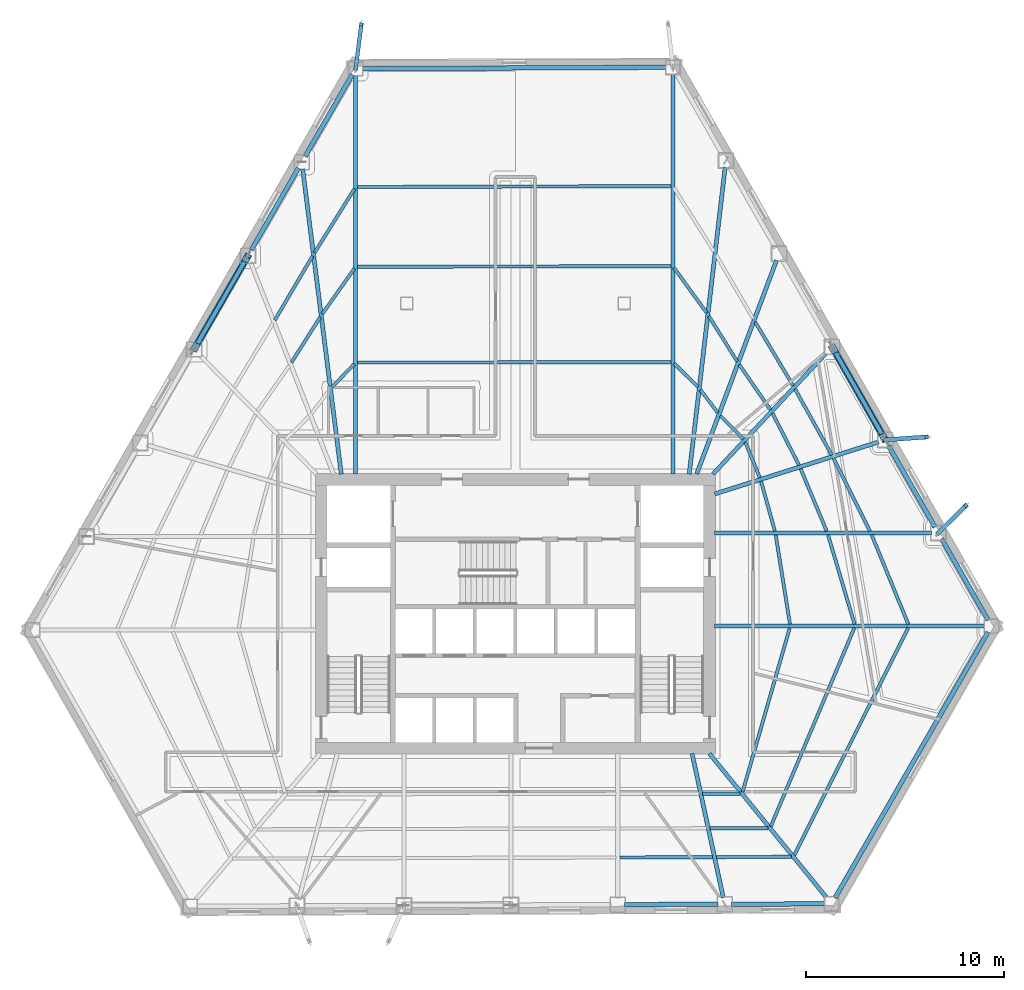
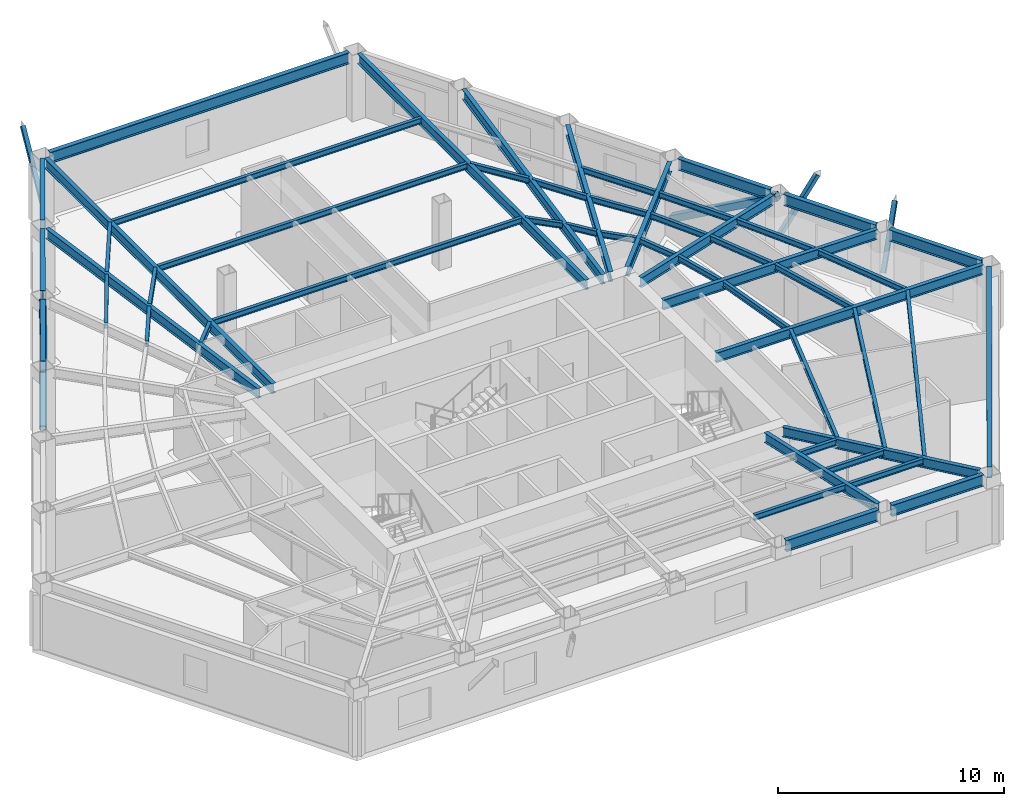
# One storey, part 2 of 12: 52 beams, 5 members.
"""IFC4 building model written with IfcOpenShell, lengths in metres."""

from ifc_helpers import new_model, si_unit, direction, frame, origin, origin_2d, place, context, subcontext, project, spatial, hollow_rectangle, i_section, extrude, material, material_profile, profile_set, type_object, element, save


model = new_model("IFC4")

# Units and contexts
model_context = context("Model", 3, precision=1e-05, world=origin(), true_north=direction((0.0, 1.0)))
body_context = subcontext(model_context, "Body", "Model", "MODEL_VIEW")
ifc_project = project(units=[si_unit("LENGTHUNIT", "METRE"), si_unit("AREAUNIT", "SQUARE_METRE"), si_unit("VOLUMEUNIT", "CUBIC_METRE"), si_unit("PLANEANGLEUNIT", "RADIAN"), si_unit("MASSUNIT", "GRAM", prefix="KILO")], contexts=[model_context])

# Site, building, storey
site_placement = place(None, origin())
site = spatial("IfcSite", under=ifc_project, at=site_placement, CompositionType="ELEMENT")
building_placement = place(site_placement, origin())
building = spatial("IfcBuilding", under=site, at=building_placement, Name="Kavelnor Concourse Tower", CompositionType="ELEMENT")
storey_placement = place(building_placement, frame((0.0, 0.0, 13.699951171875)))
storey = spatial("IfcBuildingStorey", under=building, at=storey_placement, Name="L03", CompositionType="ELEMENT", Elevation=13.699951171875)

# Beams
ifc_material = material(Name="Steel Grade 350", Category="steel")
ifc_material_profile_1 = material_profile(ifc_material, i_section(OverallWidth=0.166015625, OverallDepth=0.306884765625, WebThickness=0.006591796875, FlangeThickness=0.01171875, at=origin_2d()), Name="310UB46")
ifc_profile_set_1 = profile_set([ifc_material_profile_1], Name="Steel Grade 350")
beam_type_1 = type_object("IfcBeamType", Name="BM-JOIST-310", PredefinedType="JOIST", material=ifc_profile_set_1)
beam_1_placement = place(storey_placement, frame((43.279296875, 3.7763671875, 3.4365234375), z_axis=(0.999994803618, 0.003223776925, 0.0), x_axis=(-0.003223776925, 0.999994803618, 0.0)))
element("IfcBeam", 1, at=beam_1_placement, inside=storey, type_object=beam_type_1, Name="L03 Secondary Composite Joist 06-3", PredefinedType="JOIST", context=body_context, shape_type="SweptSolid", body=[
    extrude(i_section(OverallWidth=0.166015625, OverallDepth=0.306884765625, WebThickness=0.006591796875, FlangeThickness=0.01171875, at=origin_2d()), origin(), (0.0, 0.0, 1.0), 4.6953125),
])
beam_2_placement = place(storey_placement, frame((47.47705078125, 6.99853515625, 3.4365234375), z_axis=(0.999999166675, 0.001290987822, 0.0), x_axis=(-0.001290987822, 0.999999166675, 0.0)))
element("IfcBeam", 2, at=beam_2_placement, inside=storey, type_object=beam_type_1, Name="L03 Secondary Composite Joist 07-1", PredefinedType="JOIST", context=body_context, shape_type="SweptSolid", body=[
    extrude(i_section(OverallWidth=0.166015625, OverallDepth=0.306884765625, WebThickness=0.006591796875, FlangeThickness=0.01171875, at=origin_2d()), origin(), (0.0, 0.0, 1.0), 1.89111328125),
])
beam_3_placement = place(storey_placement, frame((47.85595703125, 5.249755859375, 3.4365234375), z_axis=(0.999993268874, 0.003669088045, 0.0), x_axis=(-0.003669088045, 0.999993268874, 0.0)))
element("IfcBeam", 3, at=beam_3_placement, inside=storey, type_object=beam_type_1, Name="L03 Secondary Composite Joist 07-2", PredefinedType="JOIST", context=body_context, shape_type="SweptSolid", body=[
    extrude(i_section(OverallWidth=0.166015625, OverallDepth=0.306884765625, WebThickness=0.006591796875, FlangeThickness=0.01171875, at=origin_2d()), origin(), (0.0, 0.0, 1.0), 2.927734375),
])
beam_4_placement = place(storey_placement, frame((48.171630859375, 3.79248046875, 3.4365234375), z_axis=(0.999988649181, 0.004764610137, 0.0), x_axis=(-0.004764610137, 0.999988649181, 0.0)))
element("IfcBeam", 4, at=beam_4_placement, inside=storey, type_object=beam_type_1, Name="L03 Secondary Composite Joist 07-3", PredefinedType="JOIST", context=body_context, shape_type="SweptSolid", body=[
    extrude(i_section(OverallWidth=0.166015625, OverallDepth=0.306884765625, WebThickness=0.006591796875, FlangeThickness=0.01171875, at=origin_2d()), origin(), (0.0, 0.0, 1.0), 3.791748046875),
])
beam_5_placement = place(storey_placement, frame((49.493896484375, 7.095703125, 3.4365234375), z_axis=(0.276414641981, 0.961038472538, 0.0), x_axis=(-0.961038472538, 0.276414641981, 0.0)))
element("IfcBeam", 5, at=beam_5_placement, inside=storey, type_object=beam_type_1, Name="L03 Secondary Composite Joist 08-1", PredefinedType="JOIST", context=body_context, shape_type="SweptSolid", body=[
    extrude(i_section(OverallWidth=0.166015625, OverallDepth=0.306884765625, WebThickness=0.006591796875, FlangeThickness=0.01171875, at=origin_2d()), origin(), (0.0, 0.0, 1.0), 8.623046875),
])
beam_6_placement = place(storey_placement, frame((50.92041015625, 5.351806640625, 3.4365234375), z_axis=(0.388008882249, 0.921655633789, 0.0), x_axis=(-0.921655633789, 0.388008882249, 0.0)))
element("IfcBeam", 6, at=beam_6_placement, inside=storey, type_object=beam_type_1, Name="L03 Secondary Composite Joist 08-2", PredefinedType="JOIST", context=body_context, shape_type="SweptSolid", body=[
    extrude(i_section(OverallWidth=0.166015625, OverallDepth=0.306884765625, WebThickness=0.006591796875, FlangeThickness=0.01171875, at=origin_2d()), origin(), (0.0, 0.0, 1.0), 10.887939453125),
])
beam_7_placement = place(storey_placement, frame((52.106201171875, 3.89892578125, 3.4365234375), z_axis=(0.448413418506, 0.893826272887, 0.0), x_axis=(-0.893826272887, 0.448413418506, 0.0)))
element("IfcBeam", 7, at=beam_7_placement, inside=storey, type_object=beam_type_1, Name="L03 Secondary Composite Joist 08-3", PredefinedType="JOIST", context=body_context, shape_type="SweptSolid", body=[
    extrude(i_section(OverallWidth=0.166015625, OverallDepth=0.306884765625, WebThickness=0.006591796875, FlangeThickness=0.01171875, at=origin_2d()), origin(), (0.0, 0.0, 1.0), 12.855712890625),
])
beam_8_placement = place(storey_placement, frame((51.88916015625, 15.574951171875, 3.4365234375), z_axis=(-0.157651098573, 0.987494876502, 0.0), x_axis=(-0.987494876502, -0.157651098573, 0.0)))
element("IfcBeam", 8, at=beam_8_placement, inside=storey, type_object=beam_type_1, Name="L03 Secondary Composite Joist 09-1", PredefinedType="JOIST", context=body_context, shape_type="SweptSolid", body=[
    extrude(i_section(OverallWidth=0.166015625, OverallDepth=0.306884765625, WebThickness=0.006591796875, FlangeThickness=0.01171875, at=origin_2d()), origin(), (0.0, 0.0, 1.0), 4.572998046875),
])
beam_9_placement = place(storey_placement, frame((55.155029296875, 15.572021484375, 3.4365234375), z_axis=(-0.28424518952, 0.958751621764, 0.0), x_axis=(-0.958751621764, -0.28424518952, 0.0)))
element("IfcBeam", 9, at=beam_9_placement, inside=storey, type_object=beam_type_1, Name="L03 Secondary Composite Joist 09-2", PredefinedType="JOIST", context=body_context, shape_type="SweptSolid", body=[
    extrude(i_section(OverallWidth=0.166015625, OverallDepth=0.306884765625, WebThickness=0.006591796875, FlangeThickness=0.01171875, at=origin_2d()), origin(), (0.0, 0.0, 1.0), 4.71630859375),
])
beam_10_placement = place(storey_placement, frame((57.877685546875, 15.568603515625, 3.4365234375), z_axis=(-0.379733669573, 0.925095854597, 0.0), x_axis=(-0.925095854597, -0.379733669573, 0.0)))
element("IfcBeam", 10, at=beam_10_placement, inside=storey, type_object=beam_type_1, Name="L03 Secondary Composite Joist 09-3", PredefinedType="JOIST", context=body_context, shape_type="SweptSolid", body=[
    extrude(i_section(OverallWidth=0.166015625, OverallDepth=0.306884765625, WebThickness=0.006591796875, FlangeThickness=0.01171875, at=origin_2d()), origin(), (0.0, 0.0, 1.0), 4.895263671875),
])
beam_11_placement = place(storey_placement, frame((51.12646484375, 20.283203125, 3.4365234375), z_axis=(-0.267095103623, 0.963670174707, 0.0), x_axis=(-0.963670174707, -0.267095103623, 0.0)))
element("IfcBeam", 11, at=beam_11_placement, inside=storey, type_object=beam_type_1, Name="L03 Secondary Composite Joist 10-1", PredefinedType="JOIST", context=body_context, shape_type="SweptSolid", body=[
    extrude(i_section(OverallWidth=0.166015625, OverallDepth=0.306884765625, WebThickness=0.006591796875, FlangeThickness=0.01171875, at=origin_2d()), origin(), (0.0, 0.0, 1.0), 2.615966796875),
])
beam_12_placement = place(storey_placement, frame((53.74853515625, 20.279052734375, 3.4365234375), z_axis=(-0.385678149996, 0.922633385812, 0.0), x_axis=(-0.922633385812, -0.385678149996, 0.0)))
element("IfcBeam", 12, at=beam_12_placement, inside=storey, type_object=beam_type_1, Name="L03 Secondary Composite Joist 10-2", PredefinedType="JOIST", context=body_context, shape_type="SweptSolid", body=[
    extrude(i_section(OverallWidth=0.166015625, OverallDepth=0.306884765625, WebThickness=0.006591796875, FlangeThickness=0.01171875, at=origin_2d()), origin(), (0.0, 0.0, 1.0), 3.424560546875),
])
beam_13_placement = place(storey_placement, frame((55.937255859375, 20.2763671875, 3.4365234375), z_axis=(-0.447450232091, 0.89430883357, 0.0), x_axis=(-0.89430883357, -0.447450232091, 0.0)))
element("IfcBeam", 13, at=beam_13_placement, inside=storey, type_object=beam_type_1, Name="L03 Secondary Composite Joist 10-3", PredefinedType="JOIST", context=body_context, shape_type="SweptSolid", body=[
    extrude(i_section(OverallWidth=0.166015625, OverallDepth=0.306884765625, WebThickness=0.006591796875, FlangeThickness=0.01171875, at=origin_2d()), origin(), (0.0, 0.0, 1.0), 4.12646484375),
])
beam_14_placement = place(storey_placement, frame((50.3642578125, 22.990234375, 3.4365234375), z_axis=(-0.379172158649, 0.925326144721, 0.0), x_axis=(-0.925326144721, -0.379172158649, 0.0)))
element("IfcBeam", 14, at=beam_14_placement, inside=storey, type_object=beam_type_1, Name="L03 Secondary Composite Joist 11-1", PredefinedType="JOIST", context=body_context, shape_type="SweptSolid", body=[
    extrude(i_section(OverallWidth=0.166015625, OverallDepth=0.306884765625, WebThickness=0.006591796875, FlangeThickness=0.01171875, at=origin_2d()), origin(), (0.0, 0.0, 1.0), 1.938720703125),
])
beam_15_placement = place(storey_placement, frame((52.34521484375, 23.6171875, 3.4365234375), z_axis=(-0.454143707042, 0.890928444576, 0.0), x_axis=(-0.890928444576, -0.454143707042, 0.0)))
element("IfcBeam", 15, at=beam_15_placement, inside=storey, type_object=beam_type_1, Name="L03 Secondary Composite Joist 11-2", PredefinedType="JOIST", context=body_context, shape_type="SweptSolid", body=[
    extrude(i_section(OverallWidth=0.166015625, OverallDepth=0.306884765625, WebThickness=0.006591796875, FlangeThickness=0.01171875, at=origin_2d()), origin(), (0.0, 0.0, 1.0), 2.953369140625),
])
beam_16_placement = place(storey_placement, frame((53.998779296875, 24.140869140625, 3.4365234375), z_axis=(-0.486372215173, 0.87375172006, 0.0), x_axis=(-0.87375172006, -0.486372215173, 0.0)))
element("IfcBeam", 16, at=beam_16_placement, inside=storey, type_object=beam_type_1, Name="L03 Secondary Composite Joist 11-3", PredefinedType="JOIST", context=body_context, shape_type="SweptSolid", body=[
    extrude(i_section(OverallWidth=0.166015625, OverallDepth=0.306884765625, WebThickness=0.006591796875, FlangeThickness=0.01171875, at=origin_2d()), origin(), (0.0, 0.0, 1.0), 3.807861328125),
])
beam_17_placement = place(storey_placement, frame((49.522705078125, 24.945556640625, 3.4365234375), z_axis=(-0.701155017978, 0.713008864436, 0.0), x_axis=(-0.713008864436, -0.701155017978, 0.0)))
element("IfcBeam", 17, at=beam_17_placement, inside=storey, type_object=beam_type_1, Name="L03 Secondary Composite Joist 12-1", PredefinedType="JOIST", context=body_context, shape_type="SweptSolid", body=[
    extrude(i_section(OverallWidth=0.166015625, OverallDepth=0.306884765625, WebThickness=0.006591796875, FlangeThickness=0.01171875, at=origin_2d()), origin(), (0.0, 0.0, 1.0), 1.647705078125),
])
beam_18_placement = place(storey_placement, frame((50.9033203125, 26.41748046875, 3.4365234375), z_axis=(-0.568026433121, 0.823010310553, 0.0), x_axis=(-0.823010310553, -0.568026433121, 0.0)))
element("IfcBeam", 18, at=beam_18_placement, inside=storey, type_object=beam_type_1, Name="L03 Secondary Composite Joist 12-2", PredefinedType="JOIST", context=body_context, shape_type="SweptSolid", body=[
    extrude(i_section(OverallWidth=0.166015625, OverallDepth=0.306884765625, WebThickness=0.006591796875, FlangeThickness=0.01171875, at=origin_2d()), origin(), (0.0, 0.0, 1.0), 2.779541015625),
])
beam_19_placement = place(storey_placement, frame((52.04833984375, 27.638671875, 3.4365234375), z_axis=(-0.51168161581, 0.859175141657, 0.0), x_axis=(-0.859175141657, -0.51168161581, 0.0)))
element("IfcBeam", 19, at=beam_19_placement, inside=storey, type_object=beam_type_1, Name="L03 Secondary Composite Joist 12-3", PredefinedType="JOIST", context=body_context, shape_type="SweptSolid", body=[
    extrude(i_section(OverallWidth=0.166015625, OverallDepth=0.306884765625, WebThickness=0.006591796875, FlangeThickness=0.01171875, at=origin_2d()), origin(), (0.0, 0.0, 1.0), 3.754638671875),
])
beam_20_placement = place(storey_placement, frame((48.239013671875, 26.269287109375, 3.4365234375), z_axis=(-0.603615544802, 0.797275532093, 0.0), x_axis=(-0.797275532093, -0.603615544802, 0.0)))
element("IfcBeam", 20, at=beam_20_placement, inside=storey, type_object=beam_type_1, Name="L03 Secondary Composite Joist 13-1", PredefinedType="JOIST", context=body_context, shape_type="SweptSolid", body=[
    extrude(i_section(OverallWidth=0.166015625, OverallDepth=0.306884765625, WebThickness=0.006591796875, FlangeThickness=0.01171875, at=origin_2d()), origin(), (0.0, 0.0, 1.0), 1.4560546875),
])
beam_21_placement = place(storey_placement, frame((49.21630859375, 28.869873046875, 3.4365234375), z_axis=(-0.530056009027, 0.847962633195, 0.0), x_axis=(-0.847962633195, -0.530056009027, 0.0)))
element("IfcBeam", 21, at=beam_21_placement, inside=storey, type_object=beam_type_1, Name="L03 Secondary Composite Joist 13-2", PredefinedType="JOIST", context=body_context, shape_type="SweptSolid", body=[
    extrude(i_section(OverallWidth=0.166015625, OverallDepth=0.306884765625, WebThickness=0.006591796875, FlangeThickness=0.01171875, at=origin_2d()), origin(), (0.0, 0.0, 1.0), 2.691650390625),
])
beam_22_placement = place(storey_placement, frame((47.230712890625, 27.577880859375, 3.4365234375), z_axis=(-0.711597131222, 0.702587733195, 0.0), x_axis=(-0.702587733195, -0.711597131222, 0.0)))
element("IfcBeam", 22, at=beam_22_placement, inside=storey, type_object=beam_type_1, Name="L03 Secondary Composite Joist 14-1", PredefinedType="JOIST", context=body_context, shape_type="SweptSolid", body=[
    extrude(i_section(OverallWidth=0.166015625, OverallDepth=0.306884765625, WebThickness=0.006591796875, FlangeThickness=0.01171875, at=origin_2d()), origin(), (0.0, 0.0, 1.0), 1.68017578125),
])
beam_23_placement = place(storey_placement, frame((47.6796875, 31.315673828125, 3.4365234375), z_axis=(-0.586244045146, 0.810134507061, 0.0), x_axis=(-0.810134507061, -0.586244045146, 0.0)))
element("IfcBeam", 23, at=beam_23_placement, inside=storey, type_object=beam_type_1, Name="L03 Secondary Composite Joist 14-2", PredefinedType="JOIST", context=body_context, shape_type="SweptSolid", body=[
    extrude(i_section(OverallWidth=0.166015625, OverallDepth=0.306884765625, WebThickness=0.006591796875, FlangeThickness=0.01171875, at=origin_2d()), origin(), (0.0, 0.0, 1.0), 2.826416015625),
])
for number, where, z_axis, x_axis, name in (
    (24, (45.866455078125, 28.827392578125, 3.4365234375), (-0.999999384807, -0.00110922748, 0.0), (0.00110922748, -0.999999384807, 0.0), "L03 Secondary Composite Joist 15-1"),
    (25, (45.866455078125, 33.68505859375, 3.4365234375), (-0.99999786914, -0.002064392458, 0.0), (0.002064392458, -0.99999786914, 0.0), "L03 Secondary Composite Joist 15-2"),
    (26, (45.866455078125, 37.733154296875, 3.4365234375), (-0.999995938489, -0.002850088563, 0.0), (0.002850088563, -0.999995938489, 0.0), "L03 Secondary Composite Joist 15-3"),
):
    element("IfcBeam", number, at=place(storey_placement, frame(where, z_axis=z_axis, x_axis=x_axis)), inside=storey, type_object=beam_type_1, Name=name, PredefinedType="JOIST", context=body_context, shape_type="SweptSolid", body=[
        extrude(i_section(OverallWidth=0.166015625, OverallDepth=0.306884765625, WebThickness=0.006591796875, FlangeThickness=0.01171875, at=origin_2d()), origin(), (0.0, 0.0, 1.0), 15.84716796875),
    ])
beam_24_placement = place(storey_placement, frame((29.852783203125, 28.738525390625, 3.4365234375), z_axis=(-0.692829128569, -0.721101794898, 0.0), x_axis=(0.721101794898, -0.692829128569, 0.0)))
element("IfcBeam", 27, at=beam_24_placement, inside=storey, type_object=beam_type_1, Name="L03 Secondary Composite Joist 16-1", PredefinedType="JOIST", context=body_context, shape_type="SweptSolid", body=[
    extrude(i_section(OverallWidth=0.166015625, OverallDepth=0.306884765625, WebThickness=0.006591796875, FlangeThickness=0.01171875, at=origin_2d()), origin(), (0.0, 0.0, 1.0), 1.640625),
])
beam_25_placement = place(storey_placement, frame((29.864013671875, 33.57177734375, 3.4365234375), z_axis=(-0.577791391582, -0.816184481483, 0.0), x_axis=(0.816184481483, -0.577791391582, 0.0)))
element("IfcBeam", 28, at=beam_25_placement, inside=storey, type_object=beam_type_1, Name="L03 Secondary Composite Joist 16-2", PredefinedType="JOIST", context=body_context, shape_type="SweptSolid", body=[
    extrude(i_section(OverallWidth=0.166015625, OverallDepth=0.306884765625, WebThickness=0.006591796875, FlangeThickness=0.01171875, at=origin_2d()), origin(), (0.0, 0.0, 1.0), 2.818359375),
])
beam_26_placement = place(storey_placement, frame((29.86865234375, 37.604248046875, 3.4365234375), z_axis=(-0.530555567581, -0.847650157617, 0.0), x_axis=(0.847650157617, -0.530555567581, 0.0)))
element("IfcBeam", 29, at=beam_26_placement, inside=storey, type_object=beam_type_1, Name="L03 Secondary Composite Joist 16-3", PredefinedType="JOIST", context=body_context, shape_type="SweptSolid", body=[
    extrude(i_section(OverallWidth=0.166015625, OverallDepth=0.306884765625, WebThickness=0.006591796875, FlangeThickness=0.01171875, at=origin_2d()), origin(), (0.0, 0.0, 1.0), 3.823486328125),
])
beam_27_placement = place(storey_placement, frame((28.126220703125, 31.107666015625, 3.4365234375), z_axis=(-0.534300870337, -0.845294374734, 0.0), x_axis=(0.845294374734, -0.534300870337, 0.0)))
element("IfcBeam", 30, at=beam_27_placement, inside=storey, type_object=beam_type_1, Name="L03 Secondary Composite Joist 17-2", PredefinedType="JOIST", context=body_context, shape_type="SweptSolid", body=[
    extrude(i_section(OverallWidth=0.166015625, OverallDepth=0.306884765625, WebThickness=0.006591796875, FlangeThickness=0.01171875, at=origin_2d()), origin(), (0.0, 0.0, 1.0), 2.714599609375),
])
beam_28_placement = place(storey_placement, frame((27.73779296875, 34.19482421875, 3.4365234375), z_axis=(-0.506821339963, -0.862051117601, 0.0), x_axis=(0.862051117601, -0.506821339963, 0.0)))
element("IfcBeam", 31, at=beam_28_placement, inside=storey, type_object=beam_type_1, Name="L03 Secondary Composite Joist 17-3", PredefinedType="JOIST", context=body_context, shape_type="SweptSolid", body=[
    extrude(i_section(OverallWidth=0.166015625, OverallDepth=0.306884765625, WebThickness=0.006591796875, FlangeThickness=0.01171875, at=origin_2d()), origin(), (0.0, 0.0, 1.0), 3.75732421875),
])
ifc_material_profile_2 = material_profile(ifc_material, i_section(OverallWidth=0.208984375, OverallDepth=0.528076171875, WebThickness=0.009521484375, FlangeThickness=0.01318359375, at=origin_2d()), Name="530UB82")
ifc_profile_set_2 = profile_set([ifc_material_profile_2], Name="Steel Grade 350")
beam_type_2 = type_object("IfcBeamType", Name="BM-PRIMARY-530", PredefinedType="BEAM", material=ifc_profile_set_2)
beam_29_placement = place(storey_placement, frame((29.9208984375, 23.159912109375, 3.325927734375), z_axis=(0.0, 1.0, 0.0), x_axis=(-1.0, 0.0, 0.0)))
element("IfcBeam", 32, at=beam_29_placement, inside=storey, type_object=beam_type_2, Name="L03 Primary Floor Girder F0-B0", PredefinedType="BEAM", context=body_context, shape_type="SweptSolid", body=[
    extrude(i_section(OverallWidth=0.208984375, OverallDepth=0.528076171875, WebThickness=0.009521484375, FlangeThickness=0.01318359375, at=origin_2d()), origin(), (0.0, 0.0, 1.0), 20.177490234375),
])
beam_30_placement = place(storey_placement, frame((29.1953125, 23.160400390625, 3.325927734375), z_axis=(-0.125576864733, 0.992083893148, 0.0), x_axis=(-0.992083893148, -0.125576864733, 0.0)))
element("IfcBeam", 33, at=beam_30_placement, inside=storey, type_object=beam_type_2, Name="L03 Primary Floor Girder F0-B1", PredefinedType="BEAM", context=body_context, shape_type="SweptSolid", body=[
    extrude(i_section(OverallWidth=0.208984375, OverallDepth=0.528076171875, WebThickness=0.009521484375, FlangeThickness=0.01318359375, at=origin_2d()), origin(), (0.0, 0.0, 1.0), 15.56689453125),
])
beam_31_placement = place(storey_placement, frame((46.9365234375, 9.0390625, 3.325927734375), z_axis=(0.211730935239, -0.977327995641, 0.0), x_axis=(0.977327995641, 0.211730935239, 0.0)))
element("IfcBeam", 34, at=beam_31_placement, inside=storey, type_object=beam_type_2, Name="L03 Primary Floor Girder F1-B5", PredefinedType="BEAM", context=body_context, shape_type="SweptSolid", body=[
    extrude(i_section(OverallWidth=0.208984375, OverallDepth=0.528076171875, WebThickness=0.009521484375, FlangeThickness=0.01318359375, at=origin_2d()), origin(), (0.0, 0.0, 1.0), 7.456787109375),
])
beam_32_placement = place(storey_placement, frame((47.815185546875, 9.031005859375, 3.325927734375), z_axis=(0.631095992432, -0.775704743015, 0.0), x_axis=(0.775704743015, 0.631095992432, 0.0)))
element("IfcBeam", 35, at=beam_32_placement, inside=storey, type_object=beam_type_2, Name="L03 Primary Floor Girder F1-B6", PredefinedType="BEAM", context=body_context, shape_type="SweptSolid", body=[
    extrude(i_section(OverallWidth=0.208984375, OverallDepth=0.528076171875, WebThickness=0.009521484375, FlangeThickness=0.01318359375, at=origin_2d()), origin(), (0.0, 0.0, 1.0), 9.346435546875),
])
beam_33_placement = place(storey_placement, frame((48.080078125, 15.4775390625, 3.325927734375), z_axis=(1.0, 0.0, 0.0), x_axis=(0.0, 1.0, 0.0)))
element("IfcBeam", 36, at=beam_33_placement, inside=storey, type_object=beam_type_2, Name="L03 Primary Floor Girder F2-B0", PredefinedType="BEAM", context=body_context, shape_type="SweptSolid", body=[
    extrude(i_section(OverallWidth=0.208984375, OverallDepth=0.528076171875, WebThickness=0.009521484375, FlangeThickness=0.01318359375, at=origin_2d()), origin(), (0.0, 0.0, 1.0), 13.65966796875),
])
beam_34_placement = place(storey_placement, frame((48.080078125, 20.188232421875, 3.325927734375), z_axis=(1.0, 0.0, 0.0), x_axis=(0.0, 1.0, 0.0)))
element("IfcBeam", 37, at=beam_34_placement, inside=storey, type_object=beam_type_2, Name="L03 Primary Floor Girder F2-B1", PredefinedType="BEAM", context=body_context, shape_type="SweptSolid", body=[
    extrude(i_section(OverallWidth=0.208984375, OverallDepth=0.528076171875, WebThickness=0.009521484375, FlangeThickness=0.01318359375, at=origin_2d()), origin(), (0.0, 0.0, 1.0), 10.973876953125),
])
beam_35_placement = place(storey_placement, frame((48.081787109375, 22.16357421875, 3.325927734375), z_axis=(0.953232611684, 0.302237635019, 0.0), x_axis=(-0.302237635019, 0.953232611684, 0.0)))
element("IfcBeam", 38, at=beam_35_placement, inside=storey, type_object=beam_type_2, Name="L03 Primary Floor Girder F2-B2", PredefinedType="BEAM", context=body_context, shape_type="SweptSolid", body=[
    extrude(i_section(OverallWidth=0.208984375, OverallDepth=0.528076171875, WebThickness=0.009521484375, FlangeThickness=0.01318359375, at=origin_2d()), origin(), (0.0, 0.0, 1.0), 8.69091796875),
])
beam_36_placement = place(storey_placement, frame((47.99658203125, 23.1708984375, 3.325927734375), z_axis=(0.683324345741, 0.730114948839, 0.0), x_axis=(-0.730114948839, 0.683324345741, 0.0)))
element("IfcBeam", 39, at=beam_36_placement, inside=storey, type_object=beam_type_2, Name="L03 Primary Floor Girder F2-B3", PredefinedType="BEAM", context=body_context, shape_type="SweptSolid", body=[
    extrude(i_section(OverallWidth=0.208984375, OverallDepth=0.528076171875, WebThickness=0.009521484375, FlangeThickness=0.01318359375, at=origin_2d()), origin(), (0.0, 0.0, 1.0), 8.337890625),
])
beam_37_placement = place(storey_placement, frame((47.16650390625, 23.16259765625, 3.325927734375), z_axis=(0.350096625577, 0.936713591638, 0.0), x_axis=(-0.936713591638, 0.350096625577, 0.0)))
element("IfcBeam", 40, at=beam_37_placement, inside=storey, type_object=beam_type_2, Name="L03 Primary Floor Girder F2-B4", PredefinedType="BEAM", context=body_context, shape_type="SweptSolid", body=[
    extrude(i_section(OverallWidth=0.208984375, OverallDepth=0.528076171875, WebThickness=0.009521484375, FlangeThickness=0.01318359375, at=origin_2d()), origin(), (0.0, 0.0, 1.0), 11.54541015625),
])
beam_38_placement = place(storey_placement, frame((46.791015625, 23.160400390625, 3.325927734375), z_axis=(0.116386458745, 0.993204003325, 0.0), x_axis=(-0.993204003325, 0.116386458745, 0.0)))
element("IfcBeam", 41, at=beam_38_placement, inside=storey, type_object=beam_type_2, Name="L03 Primary Floor Girder F2-B5", PredefinedType="BEAM", context=body_context, shape_type="SweptSolid", body=[
    extrude(i_section(OverallWidth=0.208984375, OverallDepth=0.528076171875, WebThickness=0.009521484375, FlangeThickness=0.01318359375, at=origin_2d()), origin(), (0.0, 0.0, 1.0), 15.635986328125),
])
beam_39_placement = place(storey_placement, frame((45.965087890625, 23.159912109375, 3.325927734375), z_axis=(0.0, 1.0, 0.0), x_axis=(-1.0, 0.0, 0.0)))
element("IfcBeam", 42, at=beam_39_placement, inside=storey, type_object=beam_type_2, Name="L03 Primary Floor Girder F2-B6", PredefinedType="BEAM", context=body_context, shape_type="SweptSolid", body=[
    extrude(i_section(OverallWidth=0.208984375, OverallDepth=0.528076171875, WebThickness=0.009521484375, FlangeThickness=0.01318359375, at=origin_2d()), origin(), (0.0, 0.0, 1.0), 20.240966796875),
])
ifc_material_profile_3 = material_profile(ifc_material, i_section(OverallWidth=0.22900390625, OverallDepth=0.612060546875, WebThickness=0.011962890625, FlangeThickness=0.01953125, at=origin_2d()), Name="610UB125")
ifc_profile_set_3 = profile_set([ifc_material_profile_3], Name="Steel Grade 350")
beam_type_3 = type_object("IfcBeamType", Name="BM-SPANDREL-Z1", PredefinedType="SPANDREL", material=ifc_profile_set_3)
for number, where, z_axis, x_axis, name in (
    (43, (29.748779296875, 43.37841796875, 3.283935546875), (-0.498726844713, -0.866759213601, 0.0), (0.866759213601, -0.498726844713, 0.0), "L03 Perimeter Tube Spandrel Beam F0-B0"),
    (44, (27.025146484375, 38.645263671875, 3.283935546875), (-0.498726844713, -0.866759213601, 0.0), (0.866759213601, -0.498726844713, 0.0), "L03 Perimeter Tube Spandrel Beam F0-B1"),
    (45, (24.301513671875, 33.912109375, 3.283935546875), (-0.498726844713, -0.866759213601, 0.0), (0.866759213601, -0.498726844713, 0.0), "L03 Perimeter Tube Spandrel Beam F0-B2"),
):
    element("IfcBeam", number, at=place(storey_placement, frame(where, z_axis=z_axis, x_axis=x_axis)), inside=storey, type_object=beam_type_3, Name=name, PredefinedType="SPANDREL", context=body_context, shape_type="SweptSolid", body=[
        extrude(i_section(OverallWidth=0.22900390625, OverallDepth=0.612060546875, WebThickness=0.011962890625, FlangeThickness=0.01953125, at=origin_2d()), origin(), (0.0, 0.0, 1.0), 4.77099609375),
    ])
beam_40_placement = place(storey_placement, frame((45.6201171875, 43.739501953125, 3.283935546875), z_axis=(-0.999992162337, -0.003959200019, 0.0), x_axis=(0.003959200019, -0.999992162337, 0.0)))
element("IfcBeam", 46, at=beam_40_placement, inside=storey, type_object=beam_type_3, Name="L03 Chamfer Facet Spandrel Beam C0", PredefinedType="SPANDREL", context=body_context, shape_type="SweptSolid", body=[
    extrude(i_section(OverallWidth=0.22900390625, OverallDepth=0.612060546875, WebThickness=0.011962890625, FlangeThickness=0.01953125, at=origin_2d()), origin(), (0.0, 0.0, 1.0), 15.354248046875),
])
beam_41_placement = place(storey_placement, frame((43.52587890625, 1.390380859375, 3.283935546875), z_axis=(0.999992267709, 0.003932495723, 0.0), x_axis=(-0.003932495723, 0.999992267709, 0.0)))
element("IfcBeam", 47, at=beam_41_placement, inside=storey, type_object=beam_type_3, Name="L03 Perimeter Tube Spandrel Beam F1-B4", PredefinedType="SPANDREL", context=body_context, shape_type="SweptSolid", body=[
    extrude(i_section(OverallWidth=0.22900390625, OverallDepth=0.612060546875, WebThickness=0.011962890625, FlangeThickness=0.01953125, at=origin_2d()), origin(), (0.0, 0.0, 1.0), 4.71826171875),
])
beam_42_placement = place(storey_placement, frame((48.93408203125, 1.411865234375, 3.283935546875), z_axis=(0.999992268509, 0.003932292255, 0.0), x_axis=(-0.003932292255, 0.999992268509, 0.0)))
element("IfcBeam", 48, at=beam_42_placement, inside=storey, type_object=beam_type_3, Name="L03 Perimeter Tube Spandrel Beam F1-B5", PredefinedType="SPANDREL", context=body_context, shape_type="SweptSolid", body=[
    extrude(i_section(OverallWidth=0.22900390625, OverallDepth=0.612060546875, WebThickness=0.011962890625, FlangeThickness=0.01953125, at=origin_2d()), origin(), (0.0, 0.0, 1.0), 4.718505859375),
])
beam_43_placement = place(storey_placement, frame((61.908935546875, 15.77734375, 3.283935546875), z_axis=(-0.495310899614, 0.868715783627, 0.0), x_axis=(-0.868715783627, -0.495310899614, 0.0)))
element("IfcBeam", 49, at=beam_43_placement, inside=storey, type_object=beam_type_3, Name="L03 Perimeter Tube Spandrel Beam F2-B0", PredefinedType="SPANDREL", context=body_context, shape_type="SweptSolid", body=[
    extrude(i_section(OverallWidth=0.22900390625, OverallDepth=0.612060546875, WebThickness=0.011962890625, FlangeThickness=0.01953125, at=origin_2d()), origin(), (0.0, 0.0, 1.0), 4.732421875),
])
beam_44_placement = place(storey_placement, frame((59.22314453125, 20.48779296875, 3.283935546875), z_axis=(-0.495288702286, 0.86872843938, 0.0), x_axis=(-0.86872843938, -0.495288702286, 0.0)))
element("IfcBeam", 50, at=beam_44_placement, inside=storey, type_object=beam_type_3, Name="L03 Perimeter Tube Spandrel Beam F2-B1", PredefinedType="SPANDREL", context=body_context, shape_type="SweptSolid", body=[
    extrude(i_section(OverallWidth=0.22900390625, OverallDepth=0.612060546875, WebThickness=0.011962890625, FlangeThickness=0.01953125, at=origin_2d()), origin(), (0.0, 0.0, 1.0), 4.732666015625),
])
beam_45_placement = place(storey_placement, frame((56.537353515625, 25.198486328125, 3.283935546875), z_axis=(-0.495310899614, 0.868715783627, 0.0), x_axis=(-0.868715783627, -0.495310899614, 0.0)))
element("IfcBeam", 51, at=beam_45_placement, inside=storey, type_object=beam_type_3, Name="L03 Perimeter Tube Spandrel Beam F2-B2", PredefinedType="SPANDREL", context=body_context, shape_type="SweptSolid", body=[
    extrude(i_section(OverallWidth=0.22900390625, OverallDepth=0.612060546875, WebThickness=0.011962890625, FlangeThickness=0.01953125, at=origin_2d()), origin(), (0.0, 0.0, 1.0), 4.732421875),
])
beam_46_placement = place(storey_placement, frame((54.169677734375, 1.73095703125, 3.283935546875), z_axis=(0.498741318567, 0.866750885292, 0.0), x_axis=(-0.866750885292, 0.498741318567, 0.0)))
element("IfcBeam", 52, at=beam_46_placement, inside=storey, type_object=beam_type_3, Name="L03 Chamfer Facet Spandrel Beam C2", PredefinedType="SPANDREL", context=body_context, shape_type="SweptSolid", body=[
    extrude(i_section(OverallWidth=0.22900390625, OverallDepth=0.612060546875, WebThickness=0.011962890625, FlangeThickness=0.01953125, at=origin_2d()), origin(), (0.0, 0.0, 1.0), 15.51513671875),
])

# Members
ifc_material_profile_4 = material_profile(ifc_material, hollow_rectangle(XDim=0.219970703125, YDim=0.219970703125, WallThickness=0.013916015625, at=origin_2d()), Name="SHS 220x220x14")
ifc_profile_set_4 = profile_set([ifc_material_profile_4], Name="Steel Grade 350")
member_type_1 = type_object("IfcMemberType", Name="MBR-BALC-STRUT-220", PredefinedType="STRUT", material=ifc_profile_set_4)
member_1_placement = place(storey_placement, frame((59.39404296875, 20.188232421875, 1.050048828125), z_axis=(0.426763715178, 0.423618588658, 0.79901190401), x_axis=(-0.704486738845, 0.70971715126, 0.0)))
element("IfcMember", 53, at=member_1_placement, inside=storey, type_object=member_type_1, Name="L03 Tree Balcony Raking Knee Strut 2-A", PredefinedType="STRUT", context=body_context, shape_type="SweptSolid", body=[
    extrude(hollow_rectangle(XDim=0.219970703125, YDim=0.219970703125, WallThickness=0.013916015625, at=origin_2d()), origin(), (0.0, 0.0, 1.0), 3.26025390625),
])
member_2_placement = place(storey_placement, frame((56.708251953125, 24.898681640625, 1.050048828125), z_axis=(0.626410503244, 0.043618244171, 0.778272015558), x_axis=(-0.069463846395, 0.997584469629, 0.0)))
element("IfcMember", 54, at=member_2_placement, inside=storey, type_object=member_type_1, Name="L03 Tree Balcony Raking Knee Strut 2-B", PredefinedType="STRUT", context=body_context, shape_type="SweptSolid", body=[
    extrude(hollow_rectangle(XDim=0.219970703125, YDim=0.219970703125, WallThickness=0.013916015625, at=origin_2d()), origin(), (0.0, 0.0, 1.0), 3.34716796875),
])
ifc_material_profile_5 = material_profile(ifc_material, hollow_rectangle(XDim=0.199951171875, YDim=0.199951171875, WallThickness=0.011962890625, at=origin_2d()), Name="SHS 200x200x12")
ifc_profile_set_5 = profile_set([ifc_material_profile_5], Name="Steel Grade 350")
member_type_2 = type_object("IfcMemberType", Name="MBR-TERR-STRUT-200", PredefinedType="STRUT", material=ifc_profile_set_5)
member_3_placement = place(storey_placement, frame((29.9208984375, 43.67724609375, 0.900146484375), z_axis=(0.08138962098, 0.631990750908, 0.770690223348), x_axis=(-0.991809222049, 0.127728098158, 0.0)))
element("IfcMember", 55, at=member_3_placement, inside=storey, type_object=member_type_2, Name="L03 Spiral Terrace Raking Knee Strut C0-B", PredefinedType="STRUT", context=body_context, shape_type="SweptSolid", body=[
    extrude(hollow_rectangle(XDim=0.199951171875, YDim=0.199951171875, WallThickness=0.011962890625, at=origin_2d()), origin(), (0.0, 0.0, 1.0), 3.548583984375),
])
ifc_material_profile_6 = material_profile(ifc_material, hollow_rectangle(XDim=0.35009765625, YDim=0.35009765625, WallThickness=0.02001953125, at=origin_2d()), Name="SHS 350x350x20")
ifc_profile_set_6 = profile_set([ifc_material_profile_6], Name="Steel Grade 350")
member_type_3 = type_object("IfcMemberType", Name="MBR-TUBE-DIAG-Z1", PredefinedType="BRACE", material=ifc_profile_set_6)
member_4_placement = place(storey_placement, frame((21.75, 29.477783203125, 0.219970703125), z_axis=(0.434954622203, 0.755907154471, 0.489304455777), x_axis=(-0.866753645773, 0.49873652116, 0.0)))
element("IfcMember", 56, at=member_4_placement, inside=storey, type_object=member_type_3, Name="L03 Framed-Tube Bracing Diagonal F0-B2", PredefinedType="BRACE", context=body_context, shape_type="SweptSolid", body=[
    extrude(hollow_rectangle(XDim=0.35009765625, YDim=0.35009765625, WallThickness=0.02001953125, at=origin_2d()), origin(), (0.0, 0.0, 1.0), 6.261962890625),
])
member_5_placement = place(storey_placement, frame((54.0224609375, 29.609375, 0.219970703125), z_axis=(0.431222298635, -0.756334356165, 0.491940718832), x_axis=(0.868722060523, 0.495299890532, 0.0)))
element("IfcMember", 57, at=member_5_placement, inside=storey, type_object=member_type_3, Name="L03 Framed-Tube Bracing Diagonal F2-B2", PredefinedType="BRACE", context=body_context, shape_type="SweptSolid", body=[
    extrude(hollow_rectangle(XDim=0.35009765625, YDim=0.35009765625, WallThickness=0.02001953125, at=origin_2d()), origin(), (0.0, 0.0, 1.0), 6.228271484375),
])

save(model, "model.ifc")
